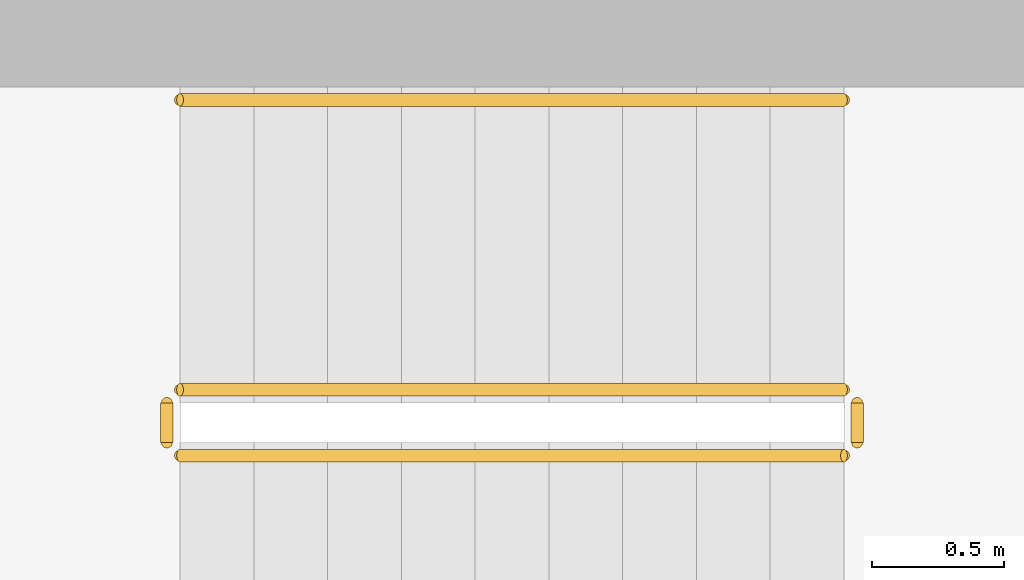
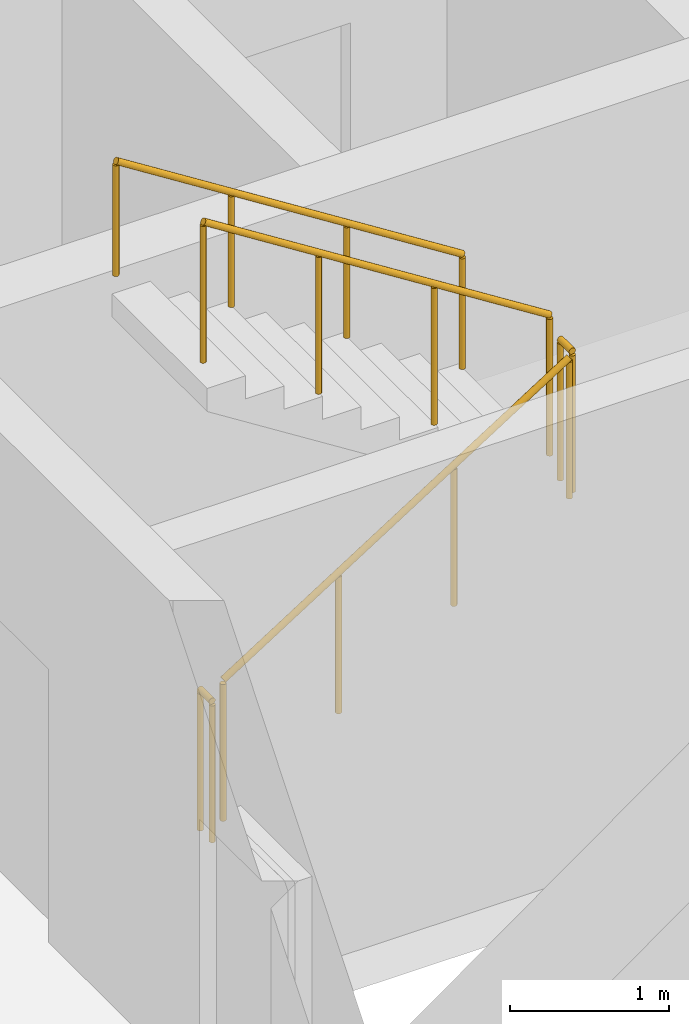
# One storey, part 12 of 14: 5 railings.
"""IFC4 building model written with IfcOpenShell, lengths in metres."""

from ifc_helpers import new_model, si_unit, direction, frame, origin, origin_2d, place, context, subcontext, project, spatial, circle, extrude, material, type_object, element, save


model = new_model("IFC4")

# Units and contexts
model_context = context("Model", 3, precision=1e-05, world=origin(), true_north=direction((0.0, 1.0)))
body_context = subcontext(model_context, "Body", "Model", "MODEL_VIEW")
ifc_project = project(units=[si_unit("LENGTHUNIT", "METRE"), si_unit("AREAUNIT", "SQUARE_METRE"), si_unit("VOLUMEUNIT", "CUBIC_METRE"), si_unit("PLANEANGLEUNIT", "RADIAN"), si_unit("MASSUNIT", "GRAM", prefix="KILO")], contexts=[model_context])

# Site, building, storey
site_placement = place(None, origin())
site = spatial("IfcSite", under=ifc_project, at=site_placement, CompositionType="ELEMENT")
building_placement = place(site_placement, origin())
building = spatial("IfcBuilding", under=site, at=building_placement, Name="Ostrand Prow Hotel Tower", CompositionType="ELEMENT")
storey_placement = place(building_placement, frame((0.0, 0.0, 285.64990234375)))
storey = spatial("IfcBuildingStorey", under=building, at=storey_placement, Name="L72", CompositionType="ELEMENT", Elevation=285.64990234375)

# Railings
ifc_material_1 = material(Name="Painted steel", Category="steel")
railing_type_1 = type_object("IfcRailingType", Name="Stair guard 1100", PredefinedType="GUARDRAIL", material=ifc_material_1)
railing_1_placement = place(storey_placement, frame((57.199951171875, -11.75, 0.177490234375)))
element("IfcRailing", 1, at=railing_1_placement, inside=storey, type_object=railing_type_1, Name="L72 ST2C stair guard 1", PredefinedType="GUARDRAIL", context=body_context, shape_type="SweptSolid", body=[
    extrude(circle(Radius=0.02392578125, at=origin_2d()), frame((0.0, 0.0, 1.076171875), z_axis=(0.84456994832, 0.0, 0.535445237532), x_axis=(0.0, 1.0, 0.0)), (0.0, 0.0, 1.0), 2.98388671875),
    extrude(circle(Radius=0.02099609375, at=origin_2d()), origin(), (0.0, 0.0, 1.0), 1.052001953125),
    extrude(circle(Radius=0.02099609375, at=origin_2d()), frame((0.840087890625, 0.0, 0.532470703125)), (0.0, 0.0, 1.0), 1.052001953125),
    extrude(circle(Radius=0.02099609375, at=origin_2d()), frame((1.679931640625, 0.0, 1.065185546875)), (0.0, 0.0, 1.0), 1.052001953125),
    extrude(circle(Radius=0.02099609375, at=origin_2d()), frame((2.52001953125, 0.0, 1.59765625)), (0.0, 0.0, 1.0), 1.052001953125),
])
railing_2_placement = place(storey_placement, frame((59.77001953125, -11.699951171875, 1.775146484375)))
element("IfcRailing", 2, at=railing_2_placement, inside=storey, type_object=railing_type_1, Name="L72 ST2C stair guard 2", PredefinedType="GUARDRAIL", context=body_context, shape_type="SweptSolid", body=[
    extrude(circle(Radius=0.02392578125, at=origin_2d()), frame((0.0, 0.0, 1.076171875), z_axis=(0.0, 1.0, 0.0), x_axis=(-1.0, 0.0, 0.0)), (0.0, 0.0, 1.0), 0.14990234375),
    extrude(circle(Radius=0.02099609375, at=origin_2d()), origin(), (0.0, 0.0, 1.0), 1.052001953125),
    extrude(circle(Radius=0.02099609375, at=origin_2d()), frame((0.0, 0.14990234375, 0.0)), (0.0, 0.0, 1.0), 1.052001953125),
])
railing_3_placement = place(storey_placement, frame((59.719970703125, -11.5, 1.95263671875)))
element("IfcRailing", 3, at=railing_3_placement, inside=storey, type_object=railing_type_1, Name="L72 ST2C stair guard 3", PredefinedType="GUARDRAIL", context=body_context, shape_type="SweptSolid", body=[
    extrude(circle(Radius=0.02392578125, at=origin_2d()), frame((0.0, 0.0, 1.076171875), z_axis=(-0.84460694969, 0.0, 0.535386869969), x_axis=(0.0, -1.0, 0.0)), (0.0, 0.0, 1.0), 2.983642578125),
    extrude(circle(Radius=0.02099609375, at=origin_2d()), origin(), (0.0, 0.0, 1.0), 1.052001953125),
    extrude(circle(Radius=0.02099609375, at=origin_2d()), frame((-0.840087890625, 0.0, 0.532470703125)), (0.0, 0.0, 1.0), 1.052001953125),
    extrude(circle(Radius=0.02099609375, at=origin_2d()), frame((-1.679931640625, 0.0, 1.06494140625)), (0.0, 0.0, 1.0), 1.052001953125),
    extrude(circle(Radius=0.02099609375, at=origin_2d()), frame((-2.52001953125, 0.0, 1.597412109375)), (0.0, 0.0, 1.0), 1.052001953125),
])
railing_4_placement = place(storey_placement, frame((57.14990234375, -11.699951171875, 0.0)))
element("IfcRailing", 4, at=railing_4_placement, inside=storey, type_object=railing_type_1, Name="L72 ST2C stair guard 4", PredefinedType="GUARDRAIL", context=body_context, shape_type="SweptSolid", body=[
    extrude(circle(Radius=0.02392578125, at=origin_2d()), frame((0.0, 0.0, 1.076171875), z_axis=(0.0, 1.0, 0.0), x_axis=(-1.0, 0.0, 0.0)), (0.0, 0.0, 1.0), 0.14990234375),
    extrude(circle(Radius=0.02099609375, at=origin_2d()), origin(), (0.0, 0.0, 1.0), 1.052001953125),
    extrude(circle(Radius=0.02099609375, at=origin_2d()), frame((0.0, 0.14990234375, 0.0)), (0.0, 0.0, 1.0), 1.052001953125),
])
ifc_material_2 = material(Name="Stainless steel", Category="steel")
railing_type_2 = type_object("IfcRailingType", Name="Stair handrail 900", PredefinedType="HANDRAIL", material=ifc_material_2)
railing_5_placement = place(storey_placement, frame((59.719970703125, -10.39990234375, 1.95263671875)))
element("IfcRailing", 5, at=railing_5_placement, inside=storey, type_object=railing_type_2, Name="L72 ST2C stair handrail 2", PredefinedType="HANDRAIL", context=body_context, shape_type="SweptSolid", body=[
    extrude(circle(Radius=0.02392578125, at=origin_2d()), frame((0.0, 0.0, 0.8759765625), z_axis=(-0.84460694969, 0.0, 0.535386869969), x_axis=(0.0, -1.0, 0.0)), (0.0, 0.0, 1.0), 2.983642578125),
    extrude(circle(Radius=0.02099609375, at=origin_2d()), origin(), (0.0, 0.0, 1.0), 0.851806640625),
    extrude(circle(Radius=0.02099609375, at=origin_2d()), frame((-0.840087890625, 0.0, 0.532470703125)), (0.0, 0.0, 1.0), 0.851806640625),
    extrude(circle(Radius=0.02099609375, at=origin_2d()), frame((-1.679931640625, 0.0, 1.06494140625)), (0.0, 0.0, 1.0), 0.851806640625),
    extrude(circle(Radius=0.02099609375, at=origin_2d()), frame((-2.52001953125, 0.0, 1.597412109375)), (0.0, 0.0, 1.0), 0.851806640625),
])

save(model, "model.ifc")
